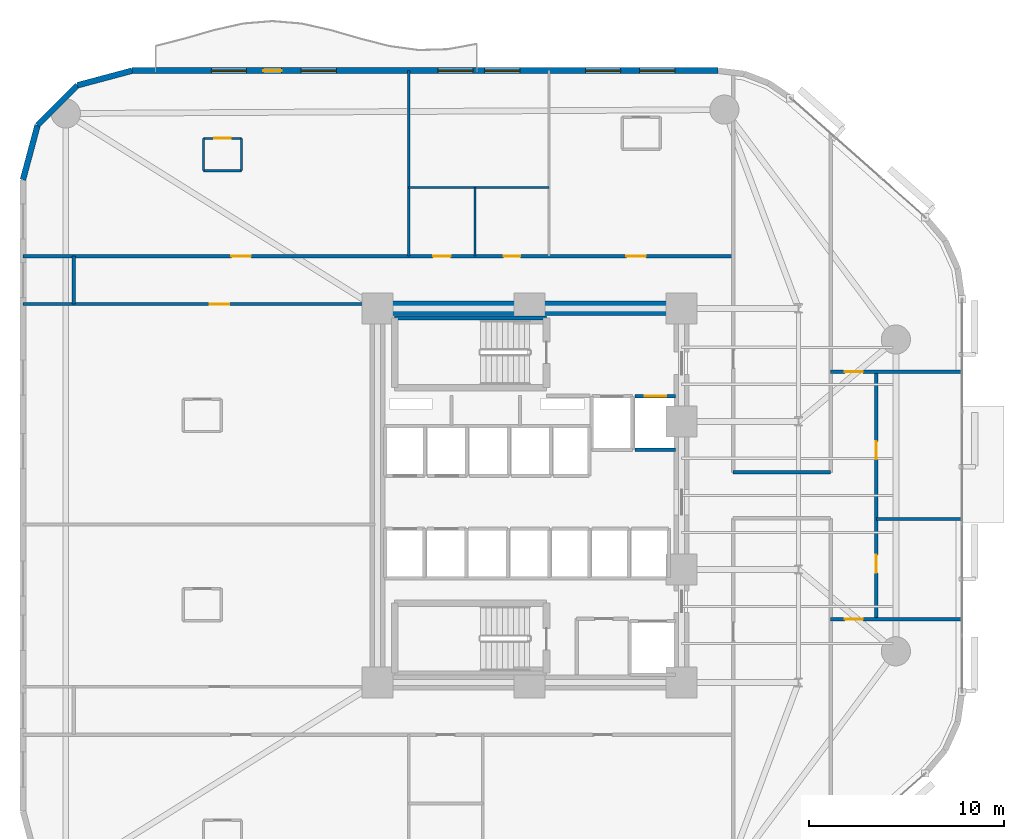
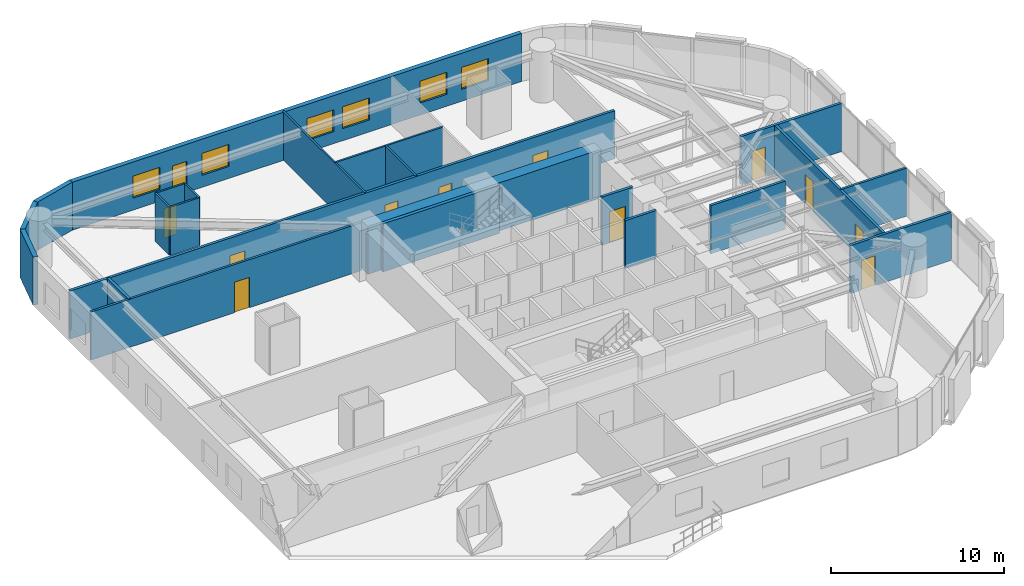
# One storey, part 12 of 16: 23 walls, 12 doors, 6 windows, 18 openings.
"""IFC4 building model written with IfcOpenShell, lengths in metres."""

from ifc_helpers import new_model, si_unit, direction, frame, frame_2d, origin, place, context, subcontext, project, spatial, rectangle, extrude, material, layer, layer_set, type_object, element, fill, save


model = new_model("IFC4")

# Units and contexts
model_context = context("Model", 3, precision=1e-05, world=origin(), true_north=direction((0.0, 1.0)))
body_context = subcontext(model_context, "Body", "Model", "MODEL_VIEW")
ifc_project = project(units=[si_unit("LENGTHUNIT", "METRE"), si_unit("AREAUNIT", "SQUARE_METRE"), si_unit("VOLUMEUNIT", "CUBIC_METRE"), si_unit("PLANEANGLEUNIT", "RADIAN"), si_unit("MASSUNIT", "GRAM", prefix="KILO")], contexts=[model_context])

# Site, building, storey
site_placement = place(None, origin())
site = spatial("IfcSite", under=ifc_project, at=site_placement, CompositionType="ELEMENT")
building_placement = place(site_placement, origin())
building = spatial("IfcBuilding", under=site, at=building_placement, Name="An Khanh Terracotta Commons", CompositionType="ELEMENT")
storey_placement = place(building_placement, frame((0.0, 0.0, 50.39990234375)))
storey = spatial("IfcBuildingStorey", under=building, at=storey_placement, Name="L13", CompositionType="ELEMENT", Elevation=50.39990234375)

# Wall
ifc_material_1 = material(Name="Concrete C70/85", Category="concrete")
ifc_layer_1 = layer(ifc_material_1, 0.75, Name="Concrete C70/85")
ifc_layer_set_1 = layer_set([ifc_layer_1], Name="Concrete C70/85")
wall_type_1 = type_object("IfcWallType", Name="WALL-CORE-750", PredefinedType="SHEAR", material=ifc_layer_set_1)
wall_1_placement = place(storey_placement, frame((21.60009765625, 33.60009765625, 0.0), z_axis=(0.0, 0.0, 1.0), x_axis=(1.0, 0.0, 0.0)))
element("IfcWall", 1, at=wall_1_placement, inside=storey, type_object=wall_type_1, Name="L13 Core Wall CWALL-L13-N", PredefinedType="SHEAR", context=body_context, shape_type="SweptSolid", body=[
    extrude(rectangle(XDim=15.599853515625, YDim=0.75, at=frame_2d((7.7998046875, 0.0))), origin(), (0.0, 0.0, 1.0), 3.400146484375),
])

# Wall, opening, door
ifc_material_2 = material(Name="Fire-Rated Gypsum Board on Steel Stud", Category="steel")
ifc_layer_2 = layer(ifc_material_2, 0.179931640625, Name="Fire-Rated Gypsum Board on Steel Stud")
ifc_layer_set_2 = layer_set([ifc_layer_2], Name="Fire-Rated Gypsum Board on Steel Stud")
wall_type_2 = type_object("IfcWallType", Name="WALL-CORR-180", PredefinedType="PARTITIONING", material=ifc_layer_set_2)
wall_2_placement = place(storey_placement, frame((34.820068359375, 29.080078125, 0.0), z_axis=(0.0, 0.0, 1.0), x_axis=(1.0, 0.0, 0.0)))
wall_2 = element("IfcWall", 2, at=wall_2_placement, inside=storey, type_object=wall_type_2, Name="L13 Core Wall LSH-L13-FFL-02-N", PredefinedType="PARTITIONING", context=body_context, shape_type="SweptSolid", body=[
    extrude(rectangle(XDim=2.079833984375, YDim=0.179931640625, at=frame_2d((1.0400390625, 0.0))), origin(), (0.0, 0.0, 1.0), 3.400146484375),
])
opening_1_placement = place(wall_2_placement, frame((0.489990234375, 0.0, 0.0)))
opening_1 = element("IfcOpeningElement", 3, at=opening_1_placement, cuts=wall_2, Name="Opening LD-FFL-02-L13", PredefinedType="OPENING", context=body_context, shape_type="SweptSolid", body=[
    extrude(rectangle(XDim=1.10009765625, YDim=2.199951171875, at=frame_2d((0.550048828125, 1.10009765625))), frame((0.0, 0.099853515625, 0.0), z_axis=(0.0, -1.0, 0.0), x_axis=(1.0, 0.0, 0.0)), (0.0, 0.0, 1.0), 0.199951171875),
])
ifc_material_3 = material(Name="Brushed Stainless Steel Fire Landing Door", Category="steel")
door_type_1 = type_object("IfcDoorType", Name="DOOR-LD-FFL-1100", OperationType="NOTDEFINED", PredefinedType="DOOR", material=ifc_material_3)
door_1_placement = place(opening_1_placement, origin())
door_1 = element("IfcDoor", 4, at=door_1_placement, inside=storey, type_object=door_type_1, Name="L13 Lift FFL-02 Sliding Landing Door", OperationType="DOUBLE_DOOR_SLIDING", OverallHeight=2.199951171875, OverallWidth=1.10009765625, PredefinedType="DOOR", context=body_context, shape_type="SweptSolid", body=[
    extrude(rectangle(XDim=1.10009765625, YDim=2.199951171875, at=frame_2d((0.550048828125, 1.10009765625))), frame((0.0, 0.02490234375, 0.0), z_axis=(0.0, -1.0, 0.0), x_axis=(1.0, 0.0, 0.0)), (0.0, 0.0, 1.0), 0.050048828125),
])
fill(opening_1, door_1)

# Wall
wall_3_placement = place(storey_placement, frame((36.89990234375, 26.35009765625, 0.0), z_axis=(0.0, 0.0, 1.0), x_axis=(-1.0, 0.0, 0.0)))
element("IfcWall", 5, at=wall_3_placement, inside=storey, type_object=wall_type_2, Name="L13 Core Wall LSH-L13-FFL-02-S", PredefinedType="PARTITIONING", context=body_context, shape_type="SweptSolid", body=[
    extrude(rectangle(XDim=2.079833984375, YDim=0.179931640625, at=frame_2d((1.0400390625, 0.0))), origin(), (0.0, 0.0, 1.0), 3.400146484375),
])

# Wall, opening, door
wall_4_placement = place(storey_placement, frame((44.85009765625, 17.64990234375, 0.0), z_axis=(0.0, 0.0, 1.0), x_axis=(1.0, 0.0, 0.0)))
wall_4 = element("IfcWall", 6, at=wall_4_placement, inside=storey, type_object=wall_type_2, Name="L13 Interior Partition IW-L13-E004", PredefinedType="PARTITIONING", context=body_context, shape_type="SweptSolid", body=[
    extrude(rectangle(XDim=6.75, YDim=0.179931640625, at=frame_2d((3.375, 0.0))), origin(), (0.0, 0.0, 1.0), 3.400146484375),
])
opening_2_placement = place(wall_4_placement, frame((0.73291015625, 0.0, 0.0)))
opening_2 = element("IfcOpeningElement", 7, at=opening_2_placement, cuts=wall_4, Name="Opening D-RM", PredefinedType="OPENING", context=body_context, shape_type="SweptSolid", body=[
    extrude(rectangle(XDim=0.919921875, YDim=2.10009765625, at=frame_2d((0.4599609375, 1.050048828125))), frame((0.0, 0.099853515625, 0.0), z_axis=(0.0, -1.0, 0.0), x_axis=(1.0, 0.0, 0.0)), (0.0, 0.0, 1.0), 0.199951171875),
])
ifc_material_4 = material(Name="Engineered Hardwood Timber Leaf", Category="wood")
door_type_2 = type_object("IfcDoorType", Name="DOOR-INT-920", OperationType="NOTDEFINED", PredefinedType="DOOR", material=ifc_material_4)
door_2_placement = place(opening_2_placement, origin())
door_2 = element("IfcDoor", 8, at=door_2_placement, inside=storey, type_object=door_type_2, Name="L13 CAPS Academic Seminar Room Door", OperationType="SINGLE_SWING_LEFT", OverallHeight=2.10009765625, OverallWidth=0.919921875, PredefinedType="DOOR", context=body_context, shape_type="SweptSolid", body=[
    extrude(rectangle(XDim=0.919921875, YDim=2.10009765625, at=frame_2d((0.4599609375, 1.050048828125))), frame((0.0, 0.02490234375, 0.0), z_axis=(0.0, -1.0, 0.0), x_axis=(1.0, 0.0, 0.0)), (0.0, 0.0, 1.0), 0.050048828125),
])
fill(opening_2, door_2)

# Wall
wall_5_placement = place(storey_placement, frame((39.85009765625, 25.179931640625, 0.0), z_axis=(0.0, 0.0, 1.0), x_axis=(1.0, 0.0, 0.0)))
element("IfcWall", 9, at=wall_5_placement, inside=storey, type_object=wall_type_2, Name="L13 Interior Partition IW-L13-E008", PredefinedType="PARTITIONING", context=body_context, shape_type="SweptSolid", body=[
    extrude(rectangle(XDim=5.0, YDim=0.179931640625, at=frame_2d((2.5, 0.0))), origin(), (0.0, 0.0, 1.0), 3.400146484375),
])

# Wall, opening, door
wall_6_placement = place(storey_placement, frame((44.85009765625, 30.35009765625, 0.0), z_axis=(0.0, 0.0, 1.0), x_axis=(1.0, 0.0, 0.0)))
wall_6 = element("IfcWall", 10, at=wall_6_placement, inside=storey, type_object=wall_type_2, Name="L13 Interior Partition IW-L13-E009", PredefinedType="PARTITIONING", context=body_context, shape_type="SweptSolid", body=[
    extrude(rectangle(XDim=6.75, YDim=0.179931640625, at=frame_2d((3.375, 0.0))), origin(), (0.0, 0.0, 1.0), 3.400146484375),
])
opening_3_placement = place(wall_6_placement, frame((0.73291015625, 0.0, 0.0)))
opening_3 = element("IfcOpeningElement", 11, at=opening_3_placement, cuts=wall_6, Name="Opening D-RM", PredefinedType="OPENING", context=body_context, shape_type="SweptSolid", body=[
    extrude(rectangle(XDim=0.919921875, YDim=2.10009765625, at=frame_2d((0.4599609375, 1.050048828125))), frame((0.0, 0.099853515625, 0.0), z_axis=(0.0, -1.0, 0.0), x_axis=(1.0, 0.0, 0.0)), (0.0, 0.0, 1.0), 0.199951171875),
])
door_3_placement = place(opening_3_placement, origin())
door_3 = element("IfcDoor", 12, at=door_3_placement, inside=storey, type_object=door_type_2, Name="L13 CAPN Academic Seminar Room Door", OperationType="SINGLE_SWING_RIGHT", OverallHeight=2.10009765625, OverallWidth=0.919921875, PredefinedType="DOOR", context=body_context, shape_type="SweptSolid", body=[
    extrude(rectangle(XDim=0.919921875, YDim=2.10009765625, at=frame_2d((0.4599609375, 1.050048828125))), frame((0.0, 0.02490234375, 0.0), z_axis=(0.0, -1.0, 0.0), x_axis=(1.0, 0.0, 0.0)), (0.0, 0.0, 1.0), 0.050048828125),
])
fill(opening_3, door_3)

# Wall, openings, doors
wall_7_placement = place(storey_placement, frame((3.39990234375, 36.280029296875, 0.0), z_axis=(0.0, 0.0, 1.0), x_axis=(1.0, 0.0, 0.0)))
wall_7 = element("IfcWall", 13, at=wall_7_placement, inside=storey, type_object=wall_type_2, Name="L13 Interior Partition IW-L13-E011", PredefinedType="PARTITIONING", context=body_context, shape_type="SweptSolid", body=[
    extrude(rectangle(XDim=36.4501953125, YDim=0.179931640625, at=frame_2d((18.22509765625, 0.0))), origin(), (0.0, 0.0, 1.0), 3.400146484375),
])
opening_4_placement = place(wall_7_placement, frame((21.050048828125, 0.0, 0.0)))
opening_4 = element("IfcOpeningElement", 14, at=opening_4_placement, cuts=wall_7, Name="Opening D-WC", PredefinedType="OPENING", context=body_context, shape_type="SweptSolid", body=[
    extrude(rectangle(XDim=0.89990234375, YDim=2.10009765625, at=frame_2d((0.449951171875, 1.050048828125))), frame((0.0, 0.099853515625, 0.0), z_axis=(0.0, -1.0, 0.0), x_axis=(1.0, 0.0, 0.0)), (0.0, 0.0, 1.0), 0.199951171875),
])
opening_5_placement = place(wall_7_placement, frame((24.669921875, 0.0, 0.0)))
opening_5 = element("IfcOpeningElement", 15, at=opening_5_placement, cuts=wall_7, Name="Opening D-ENS", PredefinedType="OPENING", context=body_context, shape_type="SweptSolid", body=[
    extrude(rectangle(XDim=0.860107421875, YDim=2.10009765625, at=frame_2d((0.43017578125, 1.050048828125))), frame((0.0, 0.099853515625, 0.0), z_axis=(0.0, -1.0, 0.0), x_axis=(1.0, 0.0, 0.0)), (0.0, 0.0, 1.0), 0.199951171875),
])
opening_6_placement = place(wall_7_placement, frame((10.699951171875, 0.0, 0.0)))
opening_6 = element("IfcOpeningElement", 16, at=opening_6_placement, cuts=wall_7, Name="Opening D-UN", PredefinedType="OPENING", context=body_context, shape_type="SweptSolid", body=[
    extrude(rectangle(XDim=1.0, YDim=2.14990234375, at=frame_2d((0.5, 1.074951171875))), frame((0.0, 0.099853515625, 0.0), z_axis=(0.0, -1.0, 0.0), x_axis=(1.0, 0.0, 0.0)), (0.0, 0.0, 1.0), 0.199951171875),
])
opening_7_placement = place(wall_7_placement, frame((30.965087890625, 0.0, 0.0)))
opening_7 = element("IfcOpeningElement", 17, at=opening_7_placement, cuts=wall_7, Name="Opening D-UN", PredefinedType="OPENING", context=body_context, shape_type="SweptSolid", body=[
    extrude(rectangle(XDim=1.0, YDim=2.14990234375, at=frame_2d((0.5, 1.074951171875))), frame((0.0, 0.099853515625, 0.0), z_axis=(0.0, -1.0, 0.0), x_axis=(1.0, 0.0, 0.0)), (0.0, 0.0, 1.0), 0.199951171875),
])
ifc_material_5 = material(Name="Moisture-Resistant Hardwood Timber Leaf", Category="wood")
door_type_3 = type_object("IfcDoorType", Name="DOOR-BATH-860", OperationType="NOTDEFINED", PredefinedType="DOOR", material=ifc_material_5)
door_4_placement = place(opening_5_placement, origin())
door_4 = element("IfcDoor", 18, at=door_4_placement, inside=storey, type_object=door_type_3, Name="L13 SHW Resident Shared Shower and Washroom Door", OperationType="SINGLE_SWING_RIGHT", OverallHeight=2.10009765625, OverallWidth=0.860107421875, PredefinedType="DOOR", context=body_context, shape_type="SweptSolid", body=[
    extrude(rectangle(XDim=0.860107421875, YDim=2.10009765625, at=frame_2d((0.43017578125, 1.050048828125))), frame((0.0, 0.02490234375, 0.0), z_axis=(0.0, -1.0, 0.0), x_axis=(1.0, 0.0, 0.0)), (0.0, 0.0, 1.0), 0.050048828125),
])
fill(opening_5, door_4)
ifc_material_6 = material(Name="Solid-Core Hardwood Acoustic Fire Door", Category="wood")
door_type_4 = type_object("IfcDoorType", Name="DOOR-UNIT-1000", OperationType="NOTDEFINED", PredefinedType="DOOR", material=ifc_material_6)
door_5_placement = place(opening_6_placement, origin())
door_5 = element("IfcDoor", 19, at=door_5_placement, inside=storey, type_object=door_type_4, Name="L13 NW1 Kitchenette and Studio Apartment Door", OperationType="SINGLE_SWING_RIGHT", OverallHeight=2.14990234375, OverallWidth=1.0, PredefinedType="DOOR", context=body_context, shape_type="SweptSolid", body=[
    extrude(rectangle(XDim=1.0, YDim=2.14990234375, at=frame_2d((0.5, 1.074951171875))), frame((0.0, 0.02490234375, 0.0), z_axis=(0.0, -1.0, 0.0), x_axis=(1.0, 0.0, 0.0)), (0.0, 0.0, 1.0), 0.050048828125),
])
fill(opening_6, door_5)
door_6_placement = place(opening_7_placement, origin())
door_6 = element("IfcDoor", 20, at=door_6_placement, inside=storey, type_object=door_type_4, Name="L13 NWE Kitchenette and Studio Apartment Door", OperationType="SINGLE_SWING_LEFT", OverallHeight=2.14990234375, OverallWidth=1.0, PredefinedType="DOOR", context=body_context, shape_type="SweptSolid", body=[
    extrude(rectangle(XDim=1.0, YDim=2.14990234375, at=frame_2d((0.5, 1.074951171875))), frame((0.0, 0.02490234375, 0.0), z_axis=(0.0, -1.0, 0.0), x_axis=(1.0, 0.0, 0.0)), (0.0, 0.0, 1.0), 0.050048828125),
])
fill(opening_7, door_6)
ifc_material_7 = material(Name="Laminate Moisture-Resistant Timber Leaf", Category="wood")
door_type_5 = type_object("IfcDoorType", Name="DOOR-WC-900", OperationType="NOTDEFINED", PredefinedType="DOOR", material=ifc_material_7)
door_7_placement = place(opening_4_placement, origin())
door_7 = element("IfcDoor", 21, at=door_7_placement, inside=storey, type_object=door_type_5, Name="L13 AWC Accessible WC Door", OperationType="SINGLE_SWING_LEFT", OverallHeight=2.10009765625, OverallWidth=0.89990234375, PredefinedType="DOOR", context=body_context, shape_type="SweptSolid", body=[
    extrude(rectangle(XDim=0.89990234375, YDim=2.10009765625, at=frame_2d((0.449951171875, 1.050048828125))), frame((0.0, 0.02490234375, 0.0), z_axis=(0.0, -1.0, 0.0), x_axis=(1.0, 0.0, 0.0)), (0.0, 0.0, 1.0), 0.050048828125),
])
fill(opening_4, door_7)

# Wall
wall_8_placement = place(storey_placement, frame((6.0, 33.820068359375, 0.0), z_axis=(0.0, 0.0, 1.0), x_axis=(0.0, 1.0, 0.0)))
element("IfcWall", 22, at=wall_8_placement, inside=storey, type_object=wall_type_2, Name="L13 Interior Partition IW-L13-E014", PredefinedType="PARTITIONING", context=body_context, shape_type="SweptSolid", body=[
    extrude(rectangle(XDim=2.4599609375, YDim=0.179931640625, at=frame_2d((1.22998046875, 0.0))), origin(), (0.0, 0.0, 1.0), 3.400146484375),
])

# Wall, openings, doors
wall_9_placement = place(storey_placement, frame((47.199951171875, 17.64990234375, 0.0), z_axis=(0.0, 0.0, 1.0), x_axis=(0.0, 1.0, 0.0)))
wall_9 = element("IfcWall", 23, at=wall_9_placement, inside=storey, type_object=wall_type_2, Name="L13 Interior Partition IW-L13-E024", PredefinedType="PARTITIONING", context=body_context, shape_type="SweptSolid", body=[
    extrude(rectangle(XDim=12.7001953125, YDim=0.179931640625, at=frame_2d((6.35009765625, 0.0))), origin(), (0.0, 0.0, 1.0), 3.400146484375),
])
opening_8_placement = place(wall_9_placement, frame((8.205078125, 0.0, 0.0)))
opening_8 = element("IfcOpeningElement", 24, at=opening_8_placement, cuts=wall_9, Name="Opening D-RM", PredefinedType="OPENING", context=body_context, shape_type="SweptSolid", body=[
    extrude(rectangle(XDim=0.919921875, YDim=2.10009765625, at=frame_2d((0.4599609375, 1.050048828125))), frame((0.0, 0.099853515625, 0.0), z_axis=(0.0, -1.0, 0.0), x_axis=(1.0, 0.0, 0.0)), (0.0, 0.0, 1.0), 0.199951171875),
])
opening_9_placement = place(wall_9_placement, frame((2.375, 0.0, 0.0)))
opening_9 = element("IfcOpeningElement", 25, at=opening_9_placement, cuts=wall_9, Name="Opening D-RM", PredefinedType="OPENING", context=body_context, shape_type="SweptSolid", body=[
    extrude(rectangle(XDim=0.919921875, YDim=2.10009765625, at=frame_2d((0.4599609375, 1.050048828125))), frame((0.0, 0.099853515625, 0.0), z_axis=(0.0, -1.0, 0.0), x_axis=(1.0, 0.0, 0.0)), (0.0, 0.0, 1.0), 0.199951171875),
])
door_8_placement = place(opening_8_placement, origin())
door_8 = element("IfcDoor", 26, at=door_8_placement, inside=storey, type_object=door_type_2, Name="L13 EF1 Quiet Focus Office Door", OperationType="SINGLE_SWING_RIGHT", OverallHeight=2.10009765625, OverallWidth=0.919921875, PredefinedType="DOOR", context=body_context, shape_type="SweptSolid", body=[
    extrude(rectangle(XDim=0.919921875, YDim=2.10009765625, at=frame_2d((0.4599609375, 1.050048828125))), frame((0.0, 0.02490234375, 0.0), z_axis=(0.0, -1.0, 0.0), x_axis=(1.0, 0.0, 0.0)), (0.0, 0.0, 1.0), 0.050048828125),
])
fill(opening_8, door_8)
door_9_placement = place(opening_9_placement, origin())
door_9 = element("IfcDoor", 27, at=door_9_placement, inside=storey, type_object=door_type_2, Name="L13 EF2 Riverfront Study Lounge Door", OperationType="SINGLE_SWING_LEFT", OverallHeight=2.10009765625, OverallWidth=0.919921875, PredefinedType="DOOR", context=body_context, shape_type="SweptSolid", body=[
    extrude(rectangle(XDim=0.919921875, YDim=2.10009765625, at=frame_2d((0.4599609375, 1.050048828125))), frame((0.0, 0.02490234375, 0.0), z_axis=(0.0, -1.0, 0.0), x_axis=(1.0, 0.0, 0.0)), (0.0, 0.0, 1.0), 0.050048828125),
])
fill(opening_9, door_9)

# Wall, openings, door, windows
ifc_material_8 = material(Name="Precast concrete C40/50", Category="concrete")
ifc_layer_3 = layer(ifc_material_8, 0.300048828125, Name="Precast concrete C40/50")
ifc_layer_set_3 = layer_set([ifc_layer_3], Name="Precast concrete C40/50")
wall_type_3 = type_object("IfcWallType", Name="WALL-EXT-300", PredefinedType="SOLIDWALL", material=ifc_layer_set_3)
wall_10_placement = place(storey_placement, frame((39.0791015625, 45.800048828125, 0.0), z_axis=(0.0, 0.0, 1.0), x_axis=(-1.0, 0.0, 0.0)))
wall_10 = element("IfcWall", 28, at=wall_10_placement, inside=storey, type_object=wall_type_3, Name="L13 Insulated Terracotta Exterior Wall 20", PredefinedType="SOLIDWALL", context=body_context, shape_type="SweptSolid", body=[
    extrude(rectangle(XDim=30.0791015625, YDim=0.300048828125, at=frame_2d((15.03955078125, 0.0))), origin(), (0.0, 0.0, 1.0), 3.400146484375),
])
opening_10_placement = place(wall_10_placement, frame((22.404052734375, 0.0, 0.0)))
opening_10 = element("IfcOpeningElement", 29, at=opening_10_placement, cuts=wall_10, Name="Opening D-BAL", PredefinedType="OPENING", context=body_context, shape_type="SweptSolid", body=[
    extrude(rectangle(XDim=0.949951171875, YDim=2.199951171875, at=frame_2d((0.47509765625, 1.10009765625))), frame((0.0, 0.159912109375, 0.0), z_axis=(0.0, -1.0, 0.0), x_axis=(1.0, 0.0, 0.0)), (0.0, 0.0, 1.0), 0.320068359375),
])
opening_11_placement = place(wall_10_placement, frame((2.22607421875, 0.0, 0.85009765625)))
opening_11 = element("IfcOpeningElement", 30, at=opening_11_placement, cuts=wall_10, Name="Opening W-01", PredefinedType="OPENING", context=body_context, shape_type="SweptSolid", body=[
    extrude(rectangle(XDim=1.800048828125, YDim=1.550048828125, at=frame_2d((0.89990234375, 0.77490234375))), frame((0.0, 0.159912109375, 0.0), z_axis=(0.0, -1.0, 0.0), x_axis=(1.0, 0.0, 0.0)), (0.0, 0.0, 1.0), 0.320068359375),
])
opening_12_placement = place(wall_10_placement, frame((5.0029296875, 0.0, 0.85009765625)))
opening_12 = element("IfcOpeningElement", 31, at=opening_12_placement, cuts=wall_10, Name="Opening W-01", PredefinedType="OPENING", context=body_context, shape_type="SweptSolid", body=[
    extrude(rectangle(XDim=1.800048828125, YDim=1.550048828125, at=frame_2d((0.89990234375, 0.77490234375))), frame((0.0, 0.159912109375, 0.0), z_axis=(0.0, -1.0, 0.0), x_axis=(1.0, 0.0, 0.0)), (0.0, 0.0, 1.0), 0.320068359375),
])
opening_13_placement = place(wall_10_placement, frame((10.178955078125, 0.0, 0.85009765625)))
opening_13 = element("IfcOpeningElement", 32, at=opening_13_placement, cuts=wall_10, Name="Opening W-01", PredefinedType="OPENING", context=body_context, shape_type="SweptSolid", body=[
    extrude(rectangle(XDim=1.800048828125, YDim=1.550048828125, at=frame_2d((0.89990234375, 0.77490234375))), frame((0.0, 0.159912109375, 0.0), z_axis=(0.0, -1.0, 0.0), x_axis=(1.0, 0.0, 0.0)), (0.0, 0.0, 1.0), 0.320068359375),
])
opening_14_placement = place(wall_10_placement, frame((12.5791015625, 0.0, 0.85009765625)))
opening_14 = element("IfcOpeningElement", 33, at=opening_14_placement, cuts=wall_10, Name="Opening W-01", PredefinedType="OPENING", context=body_context, shape_type="SweptSolid", body=[
    extrude(rectangle(XDim=1.800048828125, YDim=1.550048828125, at=frame_2d((0.89990234375, 0.77490234375))), frame((0.0, 0.159912109375, 0.0), z_axis=(0.0, -1.0, 0.0), x_axis=(1.0, 0.0, 0.0)), (0.0, 0.0, 1.0), 0.320068359375),
])
opening_15_placement = place(wall_10_placement, frame((19.595947265625, 0.0, 0.85009765625)))
opening_15 = element("IfcOpeningElement", 34, at=opening_15_placement, cuts=wall_10, Name="Opening W-01", PredefinedType="OPENING", context=body_context, shape_type="SweptSolid", body=[
    extrude(rectangle(XDim=1.800048828125, YDim=1.550048828125, at=frame_2d((0.89990234375, 0.77490234375))), frame((0.0, 0.159912109375, 0.0), z_axis=(0.0, -1.0, 0.0), x_axis=(1.0, 0.0, 0.0)), (0.0, 0.0, 1.0), 0.320068359375),
])
opening_16_placement = place(wall_10_placement, frame((24.2119140625, 0.0, 0.85009765625)))
opening_16 = element("IfcOpeningElement", 35, at=opening_16_placement, cuts=wall_10, Name="Opening W-01", PredefinedType="OPENING", context=body_context, shape_type="SweptSolid", body=[
    extrude(rectangle(XDim=1.800048828125, YDim=1.550048828125, at=frame_2d((0.89990234375, 0.77490234375))), frame((0.0, 0.159912109375, 0.0), z_axis=(0.0, -1.0, 0.0), x_axis=(1.0, 0.0, 0.0)), (0.0, 0.0, 1.0), 0.320068359375),
])
ifc_material_9 = material(Name="Thermally Broken Aluminium and Low-E Glass", Category="aluminium")
door_type_6 = type_object("IfcDoorType", Name="DOOR-BALC-950", OperationType="NOTDEFINED", PredefinedType="DOOR", material=ifc_material_9)
door_10_placement = place(opening_10_placement, origin())
door_10 = element("IfcDoor", 36, at=door_10_placement, inside=storey, type_object=door_type_6, Name="L13 N Wave Balcony Glazed Door", OperationType="SINGLE_SWING_RIGHT", OverallHeight=2.199951171875, OverallWidth=0.949951171875, PredefinedType="DOOR", context=body_context, shape_type="SweptSolid", body=[
    extrude(rectangle(XDim=0.949951171875, YDim=2.199951171875, at=frame_2d((0.47509765625, 1.10009765625))), frame((0.0, 0.02490234375, 0.0), z_axis=(0.0, -1.0, 0.0), x_axis=(1.0, 0.0, 0.0)), (0.0, 0.0, 1.0), 0.050048828125),
])
fill(opening_10, door_10)
window_type = type_object("IfcWindowType", Name="WIN-Z1-1800x1550", PartitioningType="DOUBLE_PANEL_VERTICAL", PredefinedType="WINDOW", material=ifc_material_9)
window_1_placement = place(opening_11_placement, origin())
window_1 = element("IfcWindow", 37, at=window_1_placement, inside=storey, type_object=window_type, Name="L13 Operable Casement Window 20.1", OverallHeight=1.550048828125, OverallWidth=1.800048828125, PartitioningType="DOUBLE_PANEL_VERTICAL", PredefinedType="WINDOW", context=body_context, shape_type="SweptSolid", body=[
    extrude(rectangle(XDim=1.800048828125, YDim=1.550048828125, at=frame_2d((0.89990234375, 0.77490234375))), frame((0.0, 0.030029296875, 0.0), z_axis=(0.0, -1.0, 0.0), x_axis=(1.0, 0.0, 0.0)), (0.0, 0.0, 1.0), 0.06005859375),
])
fill(opening_11, window_1)
window_2_placement = place(opening_12_placement, origin())
window_2 = element("IfcWindow", 38, at=window_2_placement, inside=storey, type_object=window_type, Name="L13 Operable Casement Window 20.2", OverallHeight=1.550048828125, OverallWidth=1.800048828125, PartitioningType="DOUBLE_PANEL_VERTICAL", PredefinedType="WINDOW", context=body_context, shape_type="SweptSolid", body=[
    extrude(rectangle(XDim=1.800048828125, YDim=1.550048828125, at=frame_2d((0.89990234375, 0.77490234375))), frame((0.0, 0.030029296875, 0.0), z_axis=(0.0, -1.0, 0.0), x_axis=(1.0, 0.0, 0.0)), (0.0, 0.0, 1.0), 0.06005859375),
])
fill(opening_12, window_2)
window_3_placement = place(opening_13_placement, origin())
window_3 = element("IfcWindow", 39, at=window_3_placement, inside=storey, type_object=window_type, Name="L13 Operable Casement Window 20.3", OverallHeight=1.550048828125, OverallWidth=1.800048828125, PartitioningType="DOUBLE_PANEL_VERTICAL", PredefinedType="WINDOW", context=body_context, shape_type="SweptSolid", body=[
    extrude(rectangle(XDim=1.800048828125, YDim=1.550048828125, at=frame_2d((0.89990234375, 0.77490234375))), frame((0.0, 0.030029296875, 0.0), z_axis=(0.0, -1.0, 0.0), x_axis=(1.0, 0.0, 0.0)), (0.0, 0.0, 1.0), 0.06005859375),
])
fill(opening_13, window_3)
window_4_placement = place(opening_14_placement, origin())
window_4 = element("IfcWindow", 40, at=window_4_placement, inside=storey, type_object=window_type, Name="L13 Operable Casement Window 20.4", OverallHeight=1.550048828125, OverallWidth=1.800048828125, PartitioningType="DOUBLE_PANEL_VERTICAL", PredefinedType="WINDOW", context=body_context, shape_type="SweptSolid", body=[
    extrude(rectangle(XDim=1.800048828125, YDim=1.550048828125, at=frame_2d((0.89990234375, 0.77490234375))), frame((0.0, 0.030029296875, 0.0), z_axis=(0.0, -1.0, 0.0), x_axis=(1.0, 0.0, 0.0)), (0.0, 0.0, 1.0), 0.06005859375),
])
fill(opening_14, window_4)
window_5_placement = place(opening_15_placement, origin())
window_5 = element("IfcWindow", 41, at=window_5_placement, inside=storey, type_object=window_type, Name="L13 Operable Casement Window 20.5", OverallHeight=1.550048828125, OverallWidth=1.800048828125, PartitioningType="DOUBLE_PANEL_VERTICAL", PredefinedType="WINDOW", context=body_context, shape_type="SweptSolid", body=[
    extrude(rectangle(XDim=1.800048828125, YDim=1.550048828125, at=frame_2d((0.89990234375, 0.77490234375))), frame((0.0, 0.030029296875, 0.0), z_axis=(0.0, -1.0, 0.0), x_axis=(1.0, 0.0, 0.0)), (0.0, 0.0, 1.0), 0.06005859375),
])
fill(opening_15, window_5)
window_6_placement = place(opening_16_placement, origin())
window_6 = element("IfcWindow", 42, at=window_6_placement, inside=storey, type_object=window_type, Name="L13 Operable Casement Window 20.6", OverallHeight=1.550048828125, OverallWidth=1.800048828125, PartitioningType="DOUBLE_PANEL_VERTICAL", PredefinedType="WINDOW", context=body_context, shape_type="SweptSolid", body=[
    extrude(rectangle(XDim=1.800048828125, YDim=1.550048828125, at=frame_2d((0.89990234375, 0.77490234375))), frame((0.0, 0.030029296875, 0.0), z_axis=(0.0, -1.0, 0.0), x_axis=(1.0, 0.0, 0.0)), (0.0, 0.0, 1.0), 0.06005859375),
])
fill(opening_16, window_6)

# Walls
wall_11_placement = place(storey_placement, frame((9.0, 45.800048828125, 0.0), z_axis=(0.0, 0.0, 1.0), x_axis=(-0.96594917914, -0.258731875344, 0.0)))
element("IfcWall", 43, at=wall_11_placement, inside=storey, type_object=wall_type_3, Name="L13 Insulated Terracotta Exterior Wall 21", PredefinedType="SOLIDWALL", context=body_context, shape_type="SweptSolid", body=[
    extrude(rectangle(XDim=2.898681640625, YDim=0.300048828125, at=frame_2d((1.44921875, 0.0))), origin(), (0.0, 0.0, 1.0), 3.400146484375),
])
wall_12_placement = place(storey_placement, frame((6.199951171875, 45.050048828125, 0.0), z_axis=(0.0, 0.0, 1.0), x_axis=(-0.707106781187, -0.707106781187, 0.0)))
element("IfcWall", 44, at=wall_12_placement, inside=storey, type_object=wall_type_3, Name="L13 Insulated Terracotta Exterior Wall 22", PredefinedType="SOLIDWALL", context=body_context, shape_type="SweptSolid", body=[
    extrude(rectangle(XDim=2.899169921875, YDim=0.300048828125, at=frame_2d((1.44970703125, 0.0))), origin(), (0.0, 0.0, 1.0), 3.400146484375),
])
wall_13_placement = place(storey_placement, frame((4.14990234375, 43.0, 0.0), z_axis=(0.0, 0.0, 1.0), x_axis=(-0.258731875344, -0.96594917914, 0.0)))
element("IfcWall", 45, at=wall_13_placement, inside=storey, type_object=wall_type_3, Name="L13 Insulated Terracotta Exterior Wall 23", PredefinedType="SOLIDWALL", context=body_context, shape_type="SweptSolid", body=[
    extrude(rectangle(XDim=2.898681640625, YDim=0.300048828125, at=frame_2d((1.44921875, 0.0))), origin(), (0.0, 0.0, 1.0), 3.400146484375),
])
ifc_material_10 = material(Name="Acoustic Gypsum Board Partition")
ifc_layer_4 = layer(ifc_material_10, 0.14990234375, Name="Acoustic Gypsum Board Partition")
ifc_layer_set_4 = layer_set([ifc_layer_4], Name="Acoustic Gypsum Board Partition")
wall_type_4 = type_object("IfcWallType", Name="WALL-PART-150", PredefinedType="PARTITIONING", material=ifc_layer_set_4)
wall_14_placement = place(storey_placement, frame((47.199951171875, 22.800048828125, 0.0), z_axis=(0.0, 0.0, 1.0), x_axis=(1.0, 0.0, 0.0)))
element("IfcWall", 46, at=wall_14_placement, inside=storey, type_object=wall_type_4, Name="L13 Interior Partition IW-L13-E007", PredefinedType="PARTITIONING", context=body_context, shape_type="SweptSolid", body=[
    extrude(rectangle(XDim=4.400146484375, YDim=0.14990234375, at=frame_2d((2.2001953125, 0.0))), origin(), (0.0, 0.0, 1.0), 3.400146484375),
])

# Wall, opening, door
wall_15_placement = place(storey_placement, frame((3.39990234375, 33.820068359375, 0.0), z_axis=(0.0, 0.0, 1.0), x_axis=(1.0, 0.0, 0.0)))
wall_15 = element("IfcWall", 47, at=wall_15_placement, inside=storey, type_object=wall_type_4, Name="L13 Interior Partition IW-L13-E010", PredefinedType="PARTITIONING", context=body_context, shape_type="SweptSolid", body=[
    extrude(rectangle(XDim=18.080078125, YDim=0.14990234375, at=frame_2d((9.0400390625, 0.0))), origin(), (0.0, 0.0, 1.0), 3.400146484375),
])
opening_17_placement = place(wall_15_placement, frame((9.580078125, 0.0, 0.0)))
opening_17 = element("IfcOpeningElement", 48, at=opening_17_placement, cuts=wall_15, Name="Opening D-UN", PredefinedType="OPENING", context=body_context, shape_type="SweptSolid", body=[
    extrude(rectangle(XDim=1.0, YDim=2.14990234375, at=frame_2d((0.5, 1.074951171875))), frame((0.0, 0.0849609375, 0.0), z_axis=(0.0, -1.0, 0.0), x_axis=(1.0, 0.0, 0.0)), (0.0, 0.0, 1.0), 0.169921875),
])
door_11_placement = place(opening_17_placement, origin())
door_11 = element("IfcDoor", 49, at=door_11_placement, inside=storey, type_object=door_type_4, Name="L13 WW2 Kitchenette and Studio Apartment Door", OperationType="SINGLE_SWING_LEFT", OverallHeight=2.14990234375, OverallWidth=1.0, PredefinedType="DOOR", context=body_context, shape_type="SweptSolid", body=[
    extrude(rectangle(XDim=1.0, YDim=2.14990234375, at=frame_2d((0.5, 1.074951171875))), frame((0.0, 0.02490234375, 0.0), z_axis=(0.0, -1.0, 0.0), x_axis=(1.0, 0.0, 0.0)), (0.0, 0.0, 1.0), 0.050048828125),
])
fill(opening_17, door_11)

# Wall
ifc_material_11 = material(Name="Acoustic Double-Stud Gypsum and Mineral Wool")
ifc_layer_5 = layer(ifc_material_11, 0.219970703125, Name="Acoustic Double-Stud Gypsum and Mineral Wool")
ifc_layer_set_5 = layer_set([ifc_layer_5], Name="Acoustic Double-Stud Gypsum and Mineral Wool")
wall_type_5 = type_object("IfcWallType", Name="WALL-PARTY-220", PredefinedType="PARTITIONING", material=ifc_layer_set_5)
wall_16_placement = place(storey_placement, frame((22.47998046875, 33.110107421875, 0.0), z_axis=(0.0, 0.0, 1.0), x_axis=(1.0, 0.0, 0.0)))
element("IfcWall", 50, at=wall_16_placement, inside=storey, type_object=wall_type_5, Name="L13 Core Wall STW-L13-N-N", PredefinedType="PARTITIONING", context=body_context, shape_type="SweptSolid", body=[
    extrude(rectangle(XDim=7.7900390625, YDim=0.219970703125, at=frame_2d((3.89501953125, 0.0))), origin(), (0.0, 0.0, 1.0), 3.400146484375),
])

# Wall, opening, door
ifc_material_12 = material(Name="Moisture-Resistant Cement Board Partition")
ifc_layer_6 = layer(ifc_material_12, 0.1201171875, Name="Moisture-Resistant Cement Board Partition")
ifc_layer_set_6 = layer_set([ifc_layer_6], Name="Moisture-Resistant Cement Board Partition")
wall_type_6 = type_object("IfcWallType", Name="WALL-WET-120", PredefinedType="PARTITIONING", material=ifc_layer_set_6)
wall_17_placement = place(storey_placement, frame((12.6640625, 42.321044921875, 0.0), z_axis=(0.0, 0.0, 1.0), x_axis=(1.0, 0.0, 0.0)))
wall_17 = element("IfcWall", 51, at=wall_17_placement, inside=storey, type_object=wall_type_6, Name="L13 Interior Partition IW-L13-NW1-BN", PredefinedType="PARTITIONING", context=body_context, shape_type="SweptSolid", body=[
    extrude(rectangle(XDim=1.949951171875, YDim=0.1201171875, at=frame_2d((0.97509765625, 0.0))), origin(), (0.0, 0.0, 1.0), 3.400146484375),
])
opening_18_placement = place(wall_17_placement, frame((0.544921875, 0.0, 0.0)))
opening_18 = element("IfcOpeningElement", 52, at=opening_18_placement, cuts=wall_17, Name="Opening D-ENS", PredefinedType="OPENING", context=body_context, shape_type="SweptSolid", body=[
    extrude(rectangle(XDim=0.860107421875, YDim=2.10009765625, at=frame_2d((0.43017578125, 1.050048828125))), frame((0.0, 0.070068359375, 0.0), z_axis=(0.0, -1.0, 0.0), x_axis=(1.0, 0.0, 0.0)), (0.0, 0.0, 1.0), 0.14013671875),
])
door_12_placement = place(opening_18_placement, origin())
door_12 = element("IfcDoor", 53, at=door_12_placement, inside=storey, type_object=door_type_3, Name="L13 Studio NW1 En-suite Door", OperationType="SINGLE_SWING_RIGHT", OverallHeight=2.10009765625, OverallWidth=0.860107421875, PredefinedType="DOOR", context=body_context, shape_type="SweptSolid", body=[
    extrude(rectangle(XDim=0.860107421875, YDim=2.10009765625, at=frame_2d((0.43017578125, 1.050048828125))), frame((0.0, 0.02490234375, 0.0), z_axis=(0.0, -1.0, 0.0), x_axis=(1.0, 0.0, 0.0)), (0.0, 0.0, 1.0), 0.050048828125),
])
fill(opening_18, door_12)

# Walls
wall_18_placement = place(storey_placement, frame((14.614013671875, 40.6708984375, 0.0), z_axis=(0.0, 0.0, 1.0), x_axis=(-1.0, 0.0, 0.0)))
element("IfcWall", 54, at=wall_18_placement, inside=storey, type_object=wall_type_6, Name="L13 Interior Partition IW-L13-NW1-BS", PredefinedType="PARTITIONING", context=body_context, shape_type="SweptSolid", body=[
    extrude(rectangle(XDim=1.949951171875, YDim=0.1201171875, at=frame_2d((0.97509765625, 0.0))), origin(), (0.0, 0.0, 1.0), 3.400146484375),
])
for number, where, z_axis, x_axis, name in (
    (55, (12.6640625, 42.321044921875, 0.0), (0.0, 0.0, 1.0), (0.0, -1.0, 0.0), "L13 Interior Partition IW-L13-NW1-BW"),
    (56, (14.614013671875, 40.6708984375, 0.0), (0.0, 0.0, 1.0), (0.0, 1.0, 0.0), "L13 Interior Partition IW-L13-NW1-BE"),
):
    element("IfcWall", number, at=place(storey_placement, frame(where, z_axis=z_axis, x_axis=x_axis)), inside=storey, type_object=wall_type_6, Name=name, PredefinedType="PARTITIONING", context=body_context, shape_type="SweptSolid", body=[
        extrude(rectangle(XDim=1.650146484375, YDim=0.1201171875, at=frame_2d((0.8251953125, 0.0))), origin(), (0.0, 0.0, 1.0), 3.400146484375),
    ])
wall_19_placement = place(storey_placement, frame((23.199951171875, 39.800048828125, 0.0), z_axis=(0.0, 0.0, 1.0), x_axis=(1.0, 0.0, 0.0)))
element("IfcWall", 57, at=wall_19_placement, inside=storey, type_object=wall_type_6, Name="L13 Interior Partition IW-L13-E012", PredefinedType="PARTITIONING", context=body_context, shape_type="SweptSolid", body=[
    extrude(rectangle(XDim=7.199951171875, YDim=0.1201171875, at=frame_2d((3.60009765625, 0.0))), origin(), (0.0, 0.0, 1.0), 3.400146484375),
])
wall_20_placement = place(storey_placement, frame((23.199951171875, 36.280029296875, 0.0), z_axis=(0.0, 0.0, 1.0), x_axis=(0.0, 1.0, 0.0)))
element("IfcWall", 58, at=wall_20_placement, inside=storey, type_object=wall_type_6, Name="L13 Interior Partition IW-L13-E016", PredefinedType="PARTITIONING", context=body_context, shape_type="SweptSolid", body=[
    extrude(rectangle(XDim=9.52001953125, YDim=0.1201171875, at=frame_2d((4.760009765625, 0.0))), origin(), (0.0, 0.0, 1.0), 3.400146484375),
])
wall_21_placement = place(storey_placement, frame((26.60009765625, 36.280029296875, 0.0), z_axis=(0.0, 0.0, 1.0), x_axis=(0.0, 1.0, 0.0)))
element("IfcWall", 59, at=wall_21_placement, inside=storey, type_object=wall_type_6, Name="L13 Interior Partition IW-L13-E017", PredefinedType="PARTITIONING", context=body_context, shape_type="SweptSolid", body=[
    extrude(rectangle(XDim=3.52001953125, YDim=0.1201171875, at=frame_2d((1.760009765625, 0.0))), origin(), (0.0, 0.0, 1.0), 3.400146484375),
])

save(model, "model.ifc")
